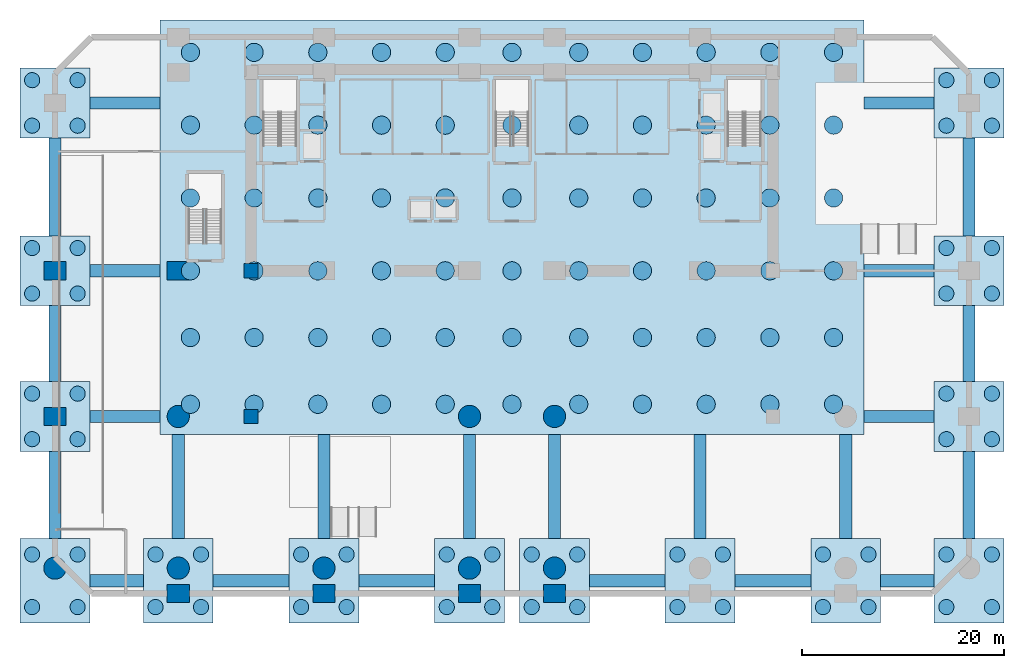
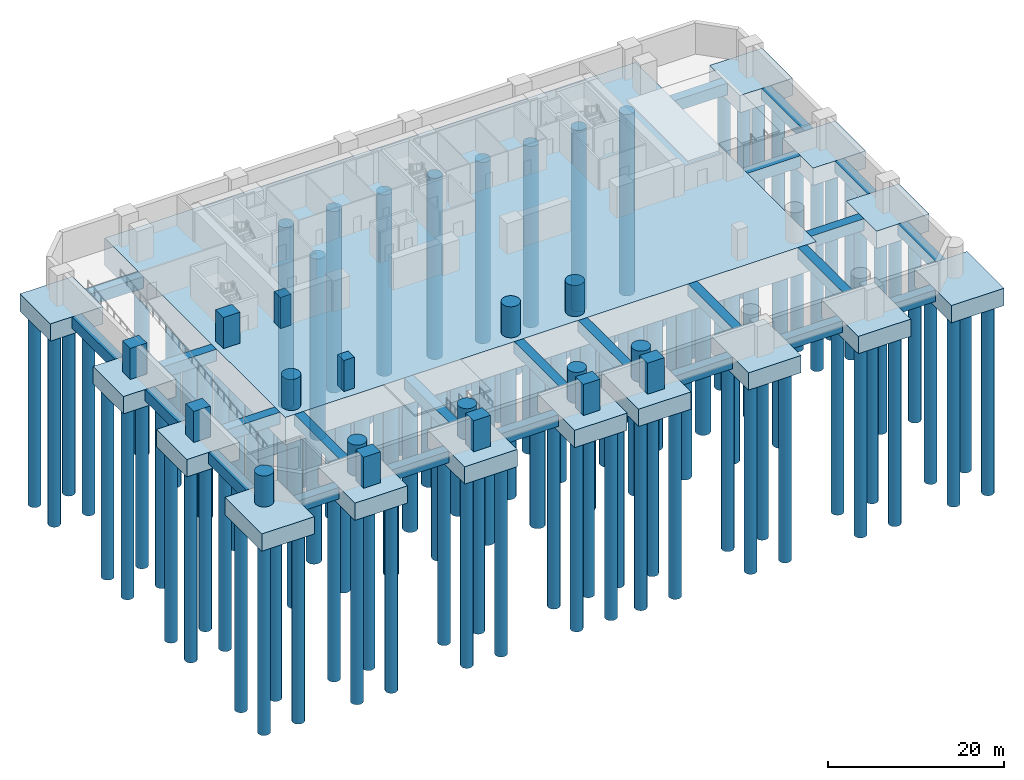
# One storey, part 1 of 10: 122 piles, 39 footings, 17 columns.
"""IFC4 building model written with IfcOpenShell, lengths in metres."""

from ifc_helpers import new_model, si_unit, direction, frame, origin, origin_2d, place, context, subcontext, project, spatial, polyline, rectangle, circle, outline, extrude, material, layer, layer_set, material_profile, profile_set, type_object, element, save


model = new_model("IFC4")

# Units and contexts
model_context = context("Model", 3, precision=1e-05, world=origin(), true_north=direction((0.0, 1.0)))
body_context = subcontext(model_context, "Body", "Model", "MODEL_VIEW")
ifc_project = project(units=[si_unit("LENGTHUNIT", "METRE"), si_unit("AREAUNIT", "SQUARE_METRE"), si_unit("VOLUMEUNIT", "CUBIC_METRE"), si_unit("PLANEANGLEUNIT", "RADIAN"), si_unit("MASSUNIT", "GRAM", prefix="KILO")], contexts=[model_context])

# Site, building, storey
site_placement = place(None, origin())
site = spatial("IfcSite", under=ifc_project, at=site_placement, CompositionType="ELEMENT")
building_placement = place(site_placement, origin())
building = spatial("IfcBuilding", under=site, at=building_placement, Name="Kaelvorn Grand Hotel", CompositionType="ELEMENT")
storey_placement = place(building_placement, frame((0.0, 0.0, -9.199951171875)))
storey = spatial("IfcBuildingStorey", under=building, at=storey_placement, Name="B02", CompositionType="ELEMENT", Elevation=-9.199951171875)

# Footings
ifc_material_1 = material(Name="Concrete C50/60", Category="concrete")
ifc_material_profile_1 = material_profile(ifc_material_1, rectangle(XDim=1.199951171875, YDim=1.60009765625, at=origin_2d()), Name="GB 1200x1600")
ifc_profile_set_1 = profile_set([ifc_material_profile_1], Name="Concrete C50/60")
footing_type_1 = type_object("IfcFootingType", Name="GBEAM-1200x1600-C50", PredefinedType="FOOTING_BEAM", material=ifc_profile_set_1)
footing_1_placement = place(storey_placement, frame((0.25, -1.25, -0.800048828125), z_axis=(1.0, 0.0, 0.0), x_axis=(0.0, 1.0, 0.0)))
element("IfcFooting", 1, at=footing_1_placement, inside=storey, type_object=footing_type_1, Name="Ground Tie Beam GB1-S01", PredefinedType="FOOTING_BEAM", context=body_context, shape_type="SweptSolid", body=[
    extrude(rectangle(XDim=1.199951171875, YDim=1.60009765625, at=origin_2d()), origin(), (0.0, 0.0, 1.0), 5.300048828125),
])
for number, where, z_axis, x_axis, name in (
    (2, (12.449951171875, -1.25, -0.800048828125), (1.0, 0.0, 0.0), (0.0, 1.0, 0.0), "Ground Tie Beam GB1-S02"),
    (3, (26.85009765625, -1.25, -0.800048828125), (1.0, 0.0, 0.0), (0.0, 1.0, 0.0), "Ground Tie Beam GB1-S03"),
    (4, (49.64990234375, -1.25, -0.800048828125), (1.0, 0.0, 0.0), (0.0, 1.0, 0.0), "Ground Tie Beam GB1-S05"),
    (5, (64.050048828125, -1.25, -0.800048828125), (1.0, 0.0, 0.0), (0.0, 1.0, 0.0), "Ground Tie Beam GB1-S06"),
):
    element("IfcFooting", number, at=place(storey_placement, frame(where, z_axis=z_axis, x_axis=x_axis)), inside=storey, type_object=footing_type_1, Name=name, PredefinedType="FOOTING_BEAM", context=body_context, shape_type="SweptSolid", body=[
        extrude(rectangle(XDim=1.199951171875, YDim=1.60009765625, at=origin_2d()), origin(), (0.0, 0.0, 1.0), 7.5),
    ])
footing_2_placement = place(storey_placement, frame((78.449951171875, -1.25, -0.800048828125), z_axis=(1.0, 0.0, 0.0), x_axis=(0.0, 1.0, 0.0)))
element("IfcFooting", 6, at=footing_2_placement, inside=storey, type_object=footing_type_1, Name="Ground Tie Beam GB1-S07", PredefinedType="FOOTING_BEAM", context=body_context, shape_type="SweptSolid", body=[
    extrude(rectangle(XDim=1.199951171875, YDim=1.60009765625, at=origin_2d()), origin(), (0.0, 0.0, 1.0), 5.300048828125),
])
for number, where, z_axis, x_axis, name in (
    (7, (9.0, 2.949951171875, -0.800048828125), (0.0, 1.0, 0.0), (-1.0, 0.0, 0.0), "Ground Tie Beam GB1-SN01"),
    (8, (23.39990234375, 2.949951171875, -0.800048828125), (0.0, 1.0, 0.0), (-1.0, 0.0, 0.0), "Ground Tie Beam GB1-SN02"),
    (9, (37.800048828125, 2.949951171875, -0.800048828125), (0.0, 1.0, 0.0), (-1.0, 0.0, 0.0), "Ground Tie Beam GB1-SN03"),
    (10, (46.199951171875, 2.949951171875, -0.800048828125), (0.0, 1.0, 0.0), (-1.0, 0.0, 0.0), "Ground Tie Beam GB1-SN04"),
    (11, (60.60009765625, 2.949951171875, -0.800048828125), (0.0, 1.0, 0.0), (-1.0, 0.0, 0.0), "Ground Tie Beam GB1-SN05"),
    (12, (75.0, 2.949951171875, -0.800048828125), (0.0, 1.0, 0.0), (-1.0, 0.0, 0.0), "Ground Tie Beam GB1-SN06"),
):
    element("IfcFooting", number, at=place(storey_placement, frame(where, z_axis=z_axis, x_axis=x_axis)), inside=storey, type_object=footing_type_1, Name=name, PredefinedType="FOOTING_BEAM", context=body_context, shape_type="SweptSolid", body=[
        extrude(rectangle(XDim=1.199951171875, YDim=1.60009765625, at=origin_2d()), origin(), (0.0, 0.0, 1.0), 10.25),
    ])
footing_3_placement = place(storey_placement, frame((-3.199951171875, 2.949951171875, -0.800048828125), z_axis=(0.0, 1.0, 0.0), x_axis=(-1.0, 0.0, 0.0)))
element("IfcFooting", 13, at=footing_3_placement, inside=storey, type_object=footing_type_1, Name="Ground Tie Beam GB1-W00", PredefinedType="FOOTING_BEAM", context=body_context, shape_type="SweptSolid", body=[
    extrude(rectangle(XDim=1.199951171875, YDim=1.60009765625, at=origin_2d()), origin(), (0.0, 0.0, 1.0), 8.60009765625),
])
footing_4_placement = place(storey_placement, frame((-3.199951171875, 18.449951171875, -0.800048828125), z_axis=(0.0, 1.0, 0.0), x_axis=(-1.0, 0.0, 0.0)))
element("IfcFooting", 14, at=footing_4_placement, inside=storey, type_object=footing_type_1, Name="Ground Tie Beam GB1-W01", PredefinedType="FOOTING_BEAM", context=body_context, shape_type="SweptSolid", body=[
    extrude(rectangle(XDim=1.199951171875, YDim=1.60009765625, at=origin_2d()), origin(), (0.0, 0.0, 1.0), 7.5),
])
footing_5_placement = place(storey_placement, frame((-3.199951171875, 32.85009765625, -0.800048828125), z_axis=(0.0, 1.0, 0.0), x_axis=(-1.0, 0.0, 0.0)))
element("IfcFooting", 15, at=footing_5_placement, inside=storey, type_object=footing_type_1, Name="Ground Tie Beam GB1-W02", PredefinedType="FOOTING_BEAM", context=body_context, shape_type="SweptSolid", body=[
    extrude(rectangle(XDim=1.199951171875, YDim=1.60009765625, at=origin_2d()), origin(), (0.0, 0.0, 1.0), 9.699951171875),
])
for number, where, z_axis, x_axis, name in (
    (16, (0.25, 15.0, -0.800048828125), (1.0, 0.0, 0.0), (0.0, 1.0, 0.0), "Ground Tie Beam GB1-WR01"),
    (17, (0.25, 29.39990234375, -0.800048828125), (1.0, 0.0, 0.0), (0.0, 1.0, 0.0), "Ground Tie Beam GB1-WR02"),
    (18, (0.25, 46.0, -0.800048828125), (1.0, 0.0, 0.0), (0.0, 1.0, 0.0), "Ground Tie Beam GB1-WR03"),
):
    element("IfcFooting", number, at=place(storey_placement, frame(where, z_axis=z_axis, x_axis=x_axis)), inside=storey, type_object=footing_type_1, Name=name, PredefinedType="FOOTING_BEAM", context=body_context, shape_type="SweptSolid", body=[
        extrude(rectangle(XDim=1.199951171875, YDim=1.60009765625, at=origin_2d()), origin(), (0.0, 0.0, 1.0), 6.949951171875),
    ])
footing_6_placement = place(storey_placement, frame((87.199951171875, 2.949951171875, -0.800048828125), z_axis=(0.0, 1.0, 0.0), x_axis=(-1.0, 0.0, 0.0)))
element("IfcFooting", 19, at=footing_6_placement, inside=storey, type_object=footing_type_1, Name="Ground Tie Beam GB1-E00", PredefinedType="FOOTING_BEAM", context=body_context, shape_type="SweptSolid", body=[
    extrude(rectangle(XDim=1.199951171875, YDim=1.60009765625, at=origin_2d()), origin(), (0.0, 0.0, 1.0), 8.60009765625),
])
footing_7_placement = place(storey_placement, frame((87.199951171875, 18.449951171875, -0.800048828125), z_axis=(0.0, 1.0, 0.0), x_axis=(-1.0, 0.0, 0.0)))
element("IfcFooting", 20, at=footing_7_placement, inside=storey, type_object=footing_type_1, Name="Ground Tie Beam GB1-E01", PredefinedType="FOOTING_BEAM", context=body_context, shape_type="SweptSolid", body=[
    extrude(rectangle(XDim=1.199951171875, YDim=1.60009765625, at=origin_2d()), origin(), (0.0, 0.0, 1.0), 7.5),
])
footing_8_placement = place(storey_placement, frame((87.199951171875, 32.85009765625, -0.800048828125), z_axis=(0.0, 1.0, 0.0), x_axis=(-1.0, 0.0, 0.0)))
element("IfcFooting", 21, at=footing_8_placement, inside=storey, type_object=footing_type_1, Name="Ground Tie Beam GB1-E02", PredefinedType="FOOTING_BEAM", context=body_context, shape_type="SweptSolid", body=[
    extrude(rectangle(XDim=1.199951171875, YDim=1.60009765625, at=origin_2d()), origin(), (0.0, 0.0, 1.0), 9.699951171875),
])
for number, where, z_axis, x_axis, name in (
    (22, (76.800048828125, 15.0, -0.800048828125), (1.0, 0.0, 0.0), (0.0, 1.0, 0.0), "Ground Tie Beam GB1-ER01"),
    (23, (76.800048828125, 29.39990234375, -0.800048828125), (1.0, 0.0, 0.0), (0.0, 1.0, 0.0), "Ground Tie Beam GB1-ER02"),
    (24, (76.800048828125, 46.0, -0.800048828125), (1.0, 0.0, 0.0), (0.0, 1.0, 0.0), "Ground Tie Beam GB1-ER03"),
):
    element("IfcFooting", number, at=place(storey_placement, frame(where, z_axis=z_axis, x_axis=x_axis)), inside=storey, type_object=footing_type_1, Name=name, PredefinedType="FOOTING_BEAM", context=body_context, shape_type="SweptSolid", body=[
        extrude(rectangle(XDim=1.199951171875, YDim=1.60009765625, at=origin_2d()), origin(), (0.0, 0.0, 1.0), 6.949951171875),
    ])
ifc_layer_1 = layer(ifc_material_1, 2.39990234375)
ifc_layer_set_1 = layer_set([ifc_layer_1], Name="Concrete C50/60")
footing_type_2 = type_object("IfcFootingType", Name="PCAP-EW-2400-C50", PredefinedType="PILE_CAP", material=ifc_layer_set_1)
for number, where, z_axis, x_axis, name in (
    (25, (-3.199951171875, 15.0, -2.39990234375), (0.0, 0.0, 1.0), (1.0, 0.0, 0.0), "W Perimeter Pile Cap PC2-W01"),
    (26, (-3.199951171875, 29.39990234375, -2.39990234375), (0.0, 0.0, 1.0), (1.0, 0.0, 0.0), "W Perimeter Pile Cap PC2-W02"),
    (27, (-3.199951171875, 46.0, -2.39990234375), (0.0, 0.0, 1.0), (1.0, 0.0, 0.0), "W Perimeter Pile Cap PC2-W03"),
    (28, (87.199951171875, 15.0, -2.39990234375), (0.0, 0.0, 1.0), (1.0, 0.0, 0.0), "E Perimeter Pile Cap PC2-E01"),
    (29, (87.199951171875, 29.39990234375, -2.39990234375), (0.0, 0.0, 1.0), (1.0, 0.0, 0.0), "E Perimeter Pile Cap PC2-E02"),
    (30, (87.199951171875, 46.0, -2.39990234375), (0.0, 0.0, 1.0), (1.0, 0.0, 0.0), "E Perimeter Pile Cap PC2-E03"),
):
    element("IfcFooting", number, at=place(storey_placement, frame(where, z_axis=z_axis, x_axis=x_axis)), inside=storey, type_object=footing_type_2, Name=name, PredefinedType="PILE_CAP", context=body_context, shape_type="SweptSolid", body=[
        extrude(rectangle(XDim=6.89990234375, YDim=6.89990234375, at=origin_2d()), origin(), (0.0, 0.0, 1.0), 2.39990234375),
    ])
ifc_layer_2 = layer(ifc_material_1, 2.39990234375)
ifc_layer_set_2 = layer_set([ifc_layer_2], Name="Concrete C50/60")
footing_type_3 = type_object("IfcFootingType", Name="PCAP-S-2400-C50", PredefinedType="PILE_CAP", material=ifc_layer_set_2)
for number, where, z_axis, x_axis, name in (
    (31, (-3.199951171875, -1.25, -2.39990234375), (0.0, 0.0, 1.0), (1.0, 0.0, 0.0), "South Perimeter Pile Cap PC1-01"),
    (32, (9.0, -1.25, -2.39990234375), (0.0, 0.0, 1.0), (1.0, 0.0, 0.0), "South Perimeter Pile Cap PC1-02"),
    (33, (23.39990234375, -1.25, -2.39990234375), (0.0, 0.0, 1.0), (1.0, 0.0, 0.0), "South Perimeter Pile Cap PC1-03"),
    (34, (37.800048828125, -1.25, -2.39990234375), (0.0, 0.0, 1.0), (1.0, 0.0, 0.0), "South Perimeter Pile Cap PC1-04"),
    (35, (46.199951171875, -1.25, -2.39990234375), (0.0, 0.0, 1.0), (1.0, 0.0, 0.0), "South Perimeter Pile Cap PC1-05"),
    (36, (60.60009765625, -1.25, -2.39990234375), (0.0, 0.0, 1.0), (1.0, 0.0, 0.0), "South Perimeter Pile Cap PC1-06"),
    (37, (75.0, -1.25, -2.39990234375), (0.0, 0.0, 1.0), (1.0, 0.0, 0.0), "South Perimeter Pile Cap PC1-07"),
    (38, (87.199951171875, -1.25, -2.39990234375), (0.0, 0.0, 1.0), (1.0, 0.0, 0.0), "South Perimeter Pile Cap PC1-08"),
):
    element("IfcFooting", number, at=place(storey_placement, frame(where, z_axis=z_axis, x_axis=x_axis)), inside=storey, type_object=footing_type_3, Name=name, PredefinedType="PILE_CAP", context=body_context, shape_type="SweptSolid", body=[
        extrude(rectangle(XDim=6.89990234375, YDim=8.39990234375, at=origin_2d()), origin(), (0.0, 0.0, 1.0), 2.39990234375),
    ])

# Piles
ifc_material_2 = material(Name="Concrete C45/55", Category="concrete")
ifc_material_profile_2 = material_profile(ifc_material_2, circle(Radius=0.75, at=origin_2d()), Name="BORED PILE D1500")
ifc_profile_set_2 = profile_set([ifc_material_profile_2], Name="Concrete C45/55")
pile_type_1 = type_object("IfcPileType", Name="PILE-D1500-C45", PredefinedType="BORED", material=ifc_profile_set_2)
for number, where, z_axis, x_axis, name in (
    (39, (-5.449951171875, -3.85009765625, -2.25), (0.0, 0.0, -1.0), (1.0, 0.0, 0.0), "Rock-Socketed Bored Pile P2-067"),
    (40, (-5.449951171875, 1.35009765625, -2.25), (0.0, 0.0, -1.0), (1.0, 0.0, 0.0), "Rock-Socketed Bored Pile P2-068"),
    (41, (-0.949951171875, -3.85009765625, -2.25), (0.0, 0.0, -1.0), (1.0, 0.0, 0.0), "Rock-Socketed Bored Pile P2-069"),
    (42, (-0.949951171875, 1.35009765625, -2.25), (0.0, 0.0, -1.0), (1.0, 0.0, 0.0), "Rock-Socketed Bored Pile P2-070"),
    (43, (6.75, -3.85009765625, -2.25), (0.0, 0.0, -1.0), (1.0, 0.0, 0.0), "Rock-Socketed Bored Pile P2-071"),
    (44, (6.75, 1.35009765625, -2.25), (0.0, 0.0, -1.0), (1.0, 0.0, 0.0), "Rock-Socketed Bored Pile P2-072"),
    (45, (11.25, -3.85009765625, -2.25), (0.0, 0.0, -1.0), (1.0, 0.0, 0.0), "Rock-Socketed Bored Pile P2-073"),
    (46, (11.25, 1.35009765625, -2.25), (0.0, 0.0, -1.0), (1.0, 0.0, 0.0), "Rock-Socketed Bored Pile P2-074"),
    (47, (21.14990234375, -3.85009765625, -2.25), (0.0, 0.0, -1.0), (1.0, 0.0, 0.0), "Rock-Socketed Bored Pile P2-075"),
    (48, (21.14990234375, 1.35009765625, -2.25), (0.0, 0.0, -1.0), (1.0, 0.0, 0.0), "Rock-Socketed Bored Pile P2-076"),
    (49, (25.64990234375, -3.85009765625, -2.25), (0.0, 0.0, -1.0), (1.0, 0.0, 0.0), "Rock-Socketed Bored Pile P2-077"),
    (50, (25.64990234375, 1.35009765625, -2.25), (0.0, 0.0, -1.0), (1.0, 0.0, 0.0), "Rock-Socketed Bored Pile P2-078"),
    (51, (35.550048828125, -3.85009765625, -2.25), (0.0, 0.0, -1.0), (1.0, 0.0, 0.0), "Rock-Socketed Bored Pile P2-079"),
    (52, (35.550048828125, 1.35009765625, -2.25), (0.0, 0.0, -1.0), (1.0, 0.0, 0.0), "Rock-Socketed Bored Pile P2-080"),
    (53, (40.050048828125, -3.85009765625, -2.25), (0.0, 0.0, -1.0), (1.0, 0.0, 0.0), "Rock-Socketed Bored Pile P2-081"),
    (54, (40.050048828125, 1.35009765625, -2.25), (0.0, 0.0, -1.0), (1.0, 0.0, 0.0), "Rock-Socketed Bored Pile P2-082"),
    (55, (43.949951171875, -3.85009765625, -2.25), (0.0, 0.0, -1.0), (1.0, 0.0, 0.0), "Rock-Socketed Bored Pile P2-083"),
    (56, (43.949951171875, 1.35009765625, -2.25), (0.0, 0.0, -1.0), (1.0, 0.0, 0.0), "Rock-Socketed Bored Pile P2-084"),
    (57, (48.449951171875, -3.85009765625, -2.25), (0.0, 0.0, -1.0), (1.0, 0.0, 0.0), "Rock-Socketed Bored Pile P2-085"),
    (58, (48.449951171875, 1.35009765625, -2.25), (0.0, 0.0, -1.0), (1.0, 0.0, 0.0), "Rock-Socketed Bored Pile P2-086"),
    (59, (58.35009765625, -3.85009765625, -2.25), (0.0, 0.0, -1.0), (1.0, 0.0, 0.0), "Rock-Socketed Bored Pile P2-087"),
    (60, (58.35009765625, 1.35009765625, -2.25), (0.0, 0.0, -1.0), (1.0, 0.0, 0.0), "Rock-Socketed Bored Pile P2-088"),
    (61, (62.85009765625, -3.85009765625, -2.25), (0.0, 0.0, -1.0), (1.0, 0.0, 0.0), "Rock-Socketed Bored Pile P2-089"),
    (62, (62.85009765625, 1.35009765625, -2.25), (0.0, 0.0, -1.0), (1.0, 0.0, 0.0), "Rock-Socketed Bored Pile P2-090"),
    (63, (72.75, -3.85009765625, -2.25), (0.0, 0.0, -1.0), (1.0, 0.0, 0.0), "Rock-Socketed Bored Pile P2-091"),
    (64, (72.75, 1.35009765625, -2.25), (0.0, 0.0, -1.0), (1.0, 0.0, 0.0), "Rock-Socketed Bored Pile P2-092"),
    (65, (77.25, -3.85009765625, -2.25), (0.0, 0.0, -1.0), (1.0, 0.0, 0.0), "Rock-Socketed Bored Pile P2-093"),
    (66, (77.25, 1.35009765625, -2.25), (0.0, 0.0, -1.0), (1.0, 0.0, 0.0), "Rock-Socketed Bored Pile P2-094"),
    (67, (84.949951171875, -3.85009765625, -2.25), (0.0, 0.0, -1.0), (1.0, 0.0, 0.0), "Rock-Socketed Bored Pile P2-095"),
    (68, (84.949951171875, 1.35009765625, -2.25), (0.0, 0.0, -1.0), (1.0, 0.0, 0.0), "Rock-Socketed Bored Pile P2-096"),
    (69, (89.449951171875, -3.85009765625, -2.25), (0.0, 0.0, -1.0), (1.0, 0.0, 0.0), "Rock-Socketed Bored Pile P2-097"),
    (70, (89.449951171875, 1.35009765625, -2.25), (0.0, 0.0, -1.0), (1.0, 0.0, 0.0), "Rock-Socketed Bored Pile P2-098"),
    (71, (-5.449951171875, 12.75, -2.25), (0.0, 0.0, -1.0), (1.0, 0.0, 0.0), "Rock-Socketed Bored Pile P2-099"),
    (72, (-5.449951171875, 17.25, -2.25), (0.0, 0.0, -1.0), (1.0, 0.0, 0.0), "Rock-Socketed Bored Pile P2-100"),
    (73, (-0.949951171875, 12.75, -2.25), (0.0, 0.0, -1.0), (1.0, 0.0, 0.0), "Rock-Socketed Bored Pile P2-101"),
    (74, (-0.949951171875, 17.25, -2.25), (0.0, 0.0, -1.0), (1.0, 0.0, 0.0), "Rock-Socketed Bored Pile P2-102"),
    (75, (-5.449951171875, 27.14990234375, -2.25), (0.0, 0.0, -1.0), (1.0, 0.0, 0.0), "Rock-Socketed Bored Pile P2-103"),
    (76, (-5.449951171875, 31.64990234375, -2.25), (0.0, 0.0, -1.0), (1.0, 0.0, 0.0), "Rock-Socketed Bored Pile P2-104"),
    (77, (-0.949951171875, 27.14990234375, -2.25), (0.0, 0.0, -1.0), (1.0, 0.0, 0.0), "Rock-Socketed Bored Pile P2-105"),
    (78, (-0.949951171875, 31.64990234375, -2.25), (0.0, 0.0, -1.0), (1.0, 0.0, 0.0), "Rock-Socketed Bored Pile P2-106"),
    (79, (-5.449951171875, 43.75, -2.25), (0.0, 0.0, -1.0), (1.0, 0.0, 0.0), "Rock-Socketed Bored Pile P2-107"),
    (80, (-5.449951171875, 48.25, -2.25), (0.0, 0.0, -1.0), (1.0, 0.0, 0.0), "Rock-Socketed Bored Pile P2-108"),
    (81, (-0.949951171875, 43.75, -2.25), (0.0, 0.0, -1.0), (1.0, 0.0, 0.0), "Rock-Socketed Bored Pile P2-109"),
    (82, (-0.949951171875, 48.25, -2.25), (0.0, 0.0, -1.0), (1.0, 0.0, 0.0), "Rock-Socketed Bored Pile P2-110"),
    (83, (84.949951171875, 12.75, -2.25), (0.0, 0.0, -1.0), (1.0, 0.0, 0.0), "Rock-Socketed Bored Pile P2-111"),
    (84, (84.949951171875, 17.25, -2.25), (0.0, 0.0, -1.0), (1.0, 0.0, 0.0), "Rock-Socketed Bored Pile P2-112"),
    (85, (89.449951171875, 12.75, -2.25), (0.0, 0.0, -1.0), (1.0, 0.0, 0.0), "Rock-Socketed Bored Pile P2-113"),
    (86, (89.449951171875, 17.25, -2.25), (0.0, 0.0, -1.0), (1.0, 0.0, 0.0), "Rock-Socketed Bored Pile P2-114"),
    (87, (84.949951171875, 27.14990234375, -2.25), (0.0, 0.0, -1.0), (1.0, 0.0, 0.0), "Rock-Socketed Bored Pile P2-115"),
    (88, (84.949951171875, 31.64990234375, -2.25), (0.0, 0.0, -1.0), (1.0, 0.0, 0.0), "Rock-Socketed Bored Pile P2-116"),
    (89, (89.449951171875, 27.14990234375, -2.25), (0.0, 0.0, -1.0), (1.0, 0.0, 0.0), "Rock-Socketed Bored Pile P2-117"),
    (90, (89.449951171875, 31.64990234375, -2.25), (0.0, 0.0, -1.0), (1.0, 0.0, 0.0), "Rock-Socketed Bored Pile P2-118"),
    (91, (84.949951171875, 43.75, -2.25), (0.0, 0.0, -1.0), (1.0, 0.0, 0.0), "Rock-Socketed Bored Pile P2-119"),
    (92, (84.949951171875, 48.25, -2.25), (0.0, 0.0, -1.0), (1.0, 0.0, 0.0), "Rock-Socketed Bored Pile P2-120"),
    (93, (89.449951171875, 43.75, -2.25), (0.0, 0.0, -1.0), (1.0, 0.0, 0.0), "Rock-Socketed Bored Pile P2-121"),
    (94, (89.449951171875, 48.25, -2.25), (0.0, 0.0, -1.0), (1.0, 0.0, 0.0), "Rock-Socketed Bored Pile P2-122"),
):
    element("IfcPile", number, at=place(storey_placement, frame(where, z_axis=z_axis, x_axis=x_axis)), inside=storey, type_object=pile_type_1, Name=name, PredefinedType="BORED", context=body_context, shape_type="SweptSolid", body=[
        extrude(circle(Radius=0.75, at=origin_2d()), origin(), (0.0, 0.0, 1.0), 26.550048828125),
    ])
ifc_material_profile_3 = material_profile(ifc_material_2, circle(Radius=0.89990234375, at=origin_2d()), Name="BORED PILE D1800")
ifc_profile_set_3 = profile_set([ifc_material_profile_3], Name="Concrete C45/55")
pile_type_2 = type_object("IfcPileType", Name="PILE-D1800-C45", PredefinedType="BORED", material=ifc_profile_set_3)
for number, where, z_axis, x_axis, name in (
    (95, (10.199951171875, 16.199951171875, -3.650146484375), (0.0, 0.0, -1.0), (1.0, 0.0, 0.0), "Rock-Socketed Bored Pile P1-001"),
    (96, (10.199951171875, 22.800048828125, -3.650146484375), (0.0, 0.0, -1.0), (1.0, 0.0, 0.0), "Rock-Socketed Bored Pile P1-002"),
    (97, (10.199951171875, 29.39990234375, -3.650146484375), (0.0, 0.0, -1.0), (1.0, 0.0, 0.0), "Rock-Socketed Bored Pile P1-003"),
    (98, (10.199951171875, 36.60009765625, -3.650146484375), (0.0, 0.0, -1.0), (1.0, 0.0, 0.0), "Rock-Socketed Bored Pile P1-004"),
    (99, (10.199951171875, 43.800048828125, -3.650146484375), (0.0, 0.0, -1.0), (1.0, 0.0, 0.0), "Rock-Socketed Bored Pile P1-005"),
    (100, (10.199951171875, 51.0, -3.650146484375), (0.0, 0.0, -1.0), (1.0, 0.0, 0.0), "Rock-Socketed Bored Pile P1-006"),
    (101, (16.5, 16.199951171875, -3.650146484375), (0.0, 0.0, -1.0), (1.0, 0.0, 0.0), "Rock-Socketed Bored Pile P1-007"),
    (102, (16.5, 22.800048828125, -3.650146484375), (0.0, 0.0, -1.0), (1.0, 0.0, 0.0), "Rock-Socketed Bored Pile P1-008"),
    (103, (16.5, 29.39990234375, -3.650146484375), (0.0, 0.0, -1.0), (1.0, 0.0, 0.0), "Rock-Socketed Bored Pile P1-009"),
    (104, (16.5, 36.60009765625, -3.650146484375), (0.0, 0.0, -1.0), (1.0, 0.0, 0.0), "Rock-Socketed Bored Pile P1-010"),
    (105, (16.5, 43.800048828125, -3.650146484375), (0.0, 0.0, -1.0), (1.0, 0.0, 0.0), "Rock-Socketed Bored Pile P1-011"),
    (106, (16.5, 51.0, -3.650146484375), (0.0, 0.0, -1.0), (1.0, 0.0, 0.0), "Rock-Socketed Bored Pile P1-012"),
    (107, (22.800048828125, 16.199951171875, -3.650146484375), (0.0, 0.0, -1.0), (1.0, 0.0, 0.0), "Rock-Socketed Bored Pile P1-013"),
    (108, (22.800048828125, 22.800048828125, -3.650146484375), (0.0, 0.0, -1.0), (1.0, 0.0, 0.0), "Rock-Socketed Bored Pile P1-014"),
    (109, (22.800048828125, 29.39990234375, -3.650146484375), (0.0, 0.0, -1.0), (1.0, 0.0, 0.0), "Rock-Socketed Bored Pile P1-015"),
    (110, (22.800048828125, 36.60009765625, -3.650146484375), (0.0, 0.0, -1.0), (1.0, 0.0, 0.0), "Rock-Socketed Bored Pile P1-016"),
    (111, (22.800048828125, 43.800048828125, -3.650146484375), (0.0, 0.0, -1.0), (1.0, 0.0, 0.0), "Rock-Socketed Bored Pile P1-017"),
    (112, (22.800048828125, 51.0, -3.650146484375), (0.0, 0.0, -1.0), (1.0, 0.0, 0.0), "Rock-Socketed Bored Pile P1-018"),
    (113, (29.10009765625, 16.199951171875, -3.650146484375), (0.0, 0.0, -1.0), (1.0, 0.0, 0.0), "Rock-Socketed Bored Pile P1-019"),
    (114, (29.10009765625, 22.800048828125, -3.650146484375), (0.0, 0.0, -1.0), (1.0, 0.0, 0.0), "Rock-Socketed Bored Pile P1-020"),
    (115, (29.10009765625, 29.39990234375, -3.650146484375), (0.0, 0.0, -1.0), (1.0, 0.0, 0.0), "Rock-Socketed Bored Pile P1-021"),
    (116, (29.10009765625, 36.60009765625, -3.650146484375), (0.0, 0.0, -1.0), (1.0, 0.0, 0.0), "Rock-Socketed Bored Pile P1-022"),
    (117, (29.10009765625, 43.800048828125, -3.650146484375), (0.0, 0.0, -1.0), (1.0, 0.0, 0.0), "Rock-Socketed Bored Pile P1-023"),
    (118, (29.10009765625, 51.0, -3.650146484375), (0.0, 0.0, -1.0), (1.0, 0.0, 0.0), "Rock-Socketed Bored Pile P1-024"),
    (119, (35.39990234375, 16.199951171875, -3.650146484375), (0.0, 0.0, -1.0), (1.0, 0.0, 0.0), "Rock-Socketed Bored Pile P1-025"),
    (120, (35.39990234375, 22.800048828125, -3.650146484375), (0.0, 0.0, -1.0), (1.0, 0.0, 0.0), "Rock-Socketed Bored Pile P1-026"),
    (121, (35.39990234375, 29.39990234375, -3.650146484375), (0.0, 0.0, -1.0), (1.0, 0.0, 0.0), "Rock-Socketed Bored Pile P1-027"),
    (122, (35.39990234375, 36.60009765625, -3.650146484375), (0.0, 0.0, -1.0), (1.0, 0.0, 0.0), "Rock-Socketed Bored Pile P1-028"),
    (123, (35.39990234375, 43.800048828125, -3.650146484375), (0.0, 0.0, -1.0), (1.0, 0.0, 0.0), "Rock-Socketed Bored Pile P1-029"),
    (124, (35.39990234375, 51.0, -3.650146484375), (0.0, 0.0, -1.0), (1.0, 0.0, 0.0), "Rock-Socketed Bored Pile P1-030"),
    (125, (42.0, 16.199951171875, -3.650146484375), (0.0, 0.0, -1.0), (1.0, 0.0, 0.0), "Rock-Socketed Bored Pile P1-031"),
    (126, (42.0, 22.800048828125, -3.650146484375), (0.0, 0.0, -1.0), (1.0, 0.0, 0.0), "Rock-Socketed Bored Pile P1-032"),
    (127, (42.0, 29.39990234375, -3.650146484375), (0.0, 0.0, -1.0), (1.0, 0.0, 0.0), "Rock-Socketed Bored Pile P1-033"),
    (128, (42.0, 36.60009765625, -3.650146484375), (0.0, 0.0, -1.0), (1.0, 0.0, 0.0), "Rock-Socketed Bored Pile P1-034"),
    (129, (42.0, 43.800048828125, -3.650146484375), (0.0, 0.0, -1.0), (1.0, 0.0, 0.0), "Rock-Socketed Bored Pile P1-035"),
    (130, (42.0, 51.0, -3.650146484375), (0.0, 0.0, -1.0), (1.0, 0.0, 0.0), "Rock-Socketed Bored Pile P1-036"),
    (131, (48.60009765625, 16.199951171875, -3.650146484375), (0.0, 0.0, -1.0), (1.0, 0.0, 0.0), "Rock-Socketed Bored Pile P1-037"),
    (132, (48.60009765625, 22.800048828125, -3.650146484375), (0.0, 0.0, -1.0), (1.0, 0.0, 0.0), "Rock-Socketed Bored Pile P1-038"),
    (133, (48.60009765625, 29.39990234375, -3.650146484375), (0.0, 0.0, -1.0), (1.0, 0.0, 0.0), "Rock-Socketed Bored Pile P1-039"),
    (134, (48.60009765625, 36.60009765625, -3.650146484375), (0.0, 0.0, -1.0), (1.0, 0.0, 0.0), "Rock-Socketed Bored Pile P1-040"),
    (135, (48.60009765625, 43.800048828125, -3.650146484375), (0.0, 0.0, -1.0), (1.0, 0.0, 0.0), "Rock-Socketed Bored Pile P1-041"),
    (136, (48.60009765625, 51.0, -3.650146484375), (0.0, 0.0, -1.0), (1.0, 0.0, 0.0), "Rock-Socketed Bored Pile P1-042"),
    (137, (54.89990234375, 16.199951171875, -3.650146484375), (0.0, 0.0, -1.0), (1.0, 0.0, 0.0), "Rock-Socketed Bored Pile P1-043"),
    (138, (54.89990234375, 22.800048828125, -3.650146484375), (0.0, 0.0, -1.0), (1.0, 0.0, 0.0), "Rock-Socketed Bored Pile P1-044"),
    (139, (54.89990234375, 29.39990234375, -3.650146484375), (0.0, 0.0, -1.0), (1.0, 0.0, 0.0), "Rock-Socketed Bored Pile P1-045"),
    (140, (54.89990234375, 36.60009765625, -3.650146484375), (0.0, 0.0, -1.0), (1.0, 0.0, 0.0), "Rock-Socketed Bored Pile P1-046"),
    (141, (54.89990234375, 43.800048828125, -3.650146484375), (0.0, 0.0, -1.0), (1.0, 0.0, 0.0), "Rock-Socketed Bored Pile P1-047"),
    (142, (54.89990234375, 51.0, -3.650146484375), (0.0, 0.0, -1.0), (1.0, 0.0, 0.0), "Rock-Socketed Bored Pile P1-048"),
    (143, (61.199951171875, 16.199951171875, -3.650146484375), (0.0, 0.0, -1.0), (1.0, 0.0, 0.0), "Rock-Socketed Bored Pile P1-049"),
    (144, (61.199951171875, 22.800048828125, -3.650146484375), (0.0, 0.0, -1.0), (1.0, 0.0, 0.0), "Rock-Socketed Bored Pile P1-050"),
    (145, (61.199951171875, 29.39990234375, -3.650146484375), (0.0, 0.0, -1.0), (1.0, 0.0, 0.0), "Rock-Socketed Bored Pile P1-051"),
    (146, (61.199951171875, 36.60009765625, -3.650146484375), (0.0, 0.0, -1.0), (1.0, 0.0, 0.0), "Rock-Socketed Bored Pile P1-052"),
    (147, (61.199951171875, 43.800048828125, -3.650146484375), (0.0, 0.0, -1.0), (1.0, 0.0, 0.0), "Rock-Socketed Bored Pile P1-053"),
    (148, (61.199951171875, 51.0, -3.650146484375), (0.0, 0.0, -1.0), (1.0, 0.0, 0.0), "Rock-Socketed Bored Pile P1-054"),
    (149, (67.5, 16.199951171875, -3.650146484375), (0.0, 0.0, -1.0), (1.0, 0.0, 0.0), "Rock-Socketed Bored Pile P1-055"),
    (150, (67.5, 22.800048828125, -3.650146484375), (0.0, 0.0, -1.0), (1.0, 0.0, 0.0), "Rock-Socketed Bored Pile P1-056"),
    (151, (67.5, 29.39990234375, -3.650146484375), (0.0, 0.0, -1.0), (1.0, 0.0, 0.0), "Rock-Socketed Bored Pile P1-057"),
    (152, (67.5, 36.60009765625, -3.650146484375), (0.0, 0.0, -1.0), (1.0, 0.0, 0.0), "Rock-Socketed Bored Pile P1-058"),
    (153, (67.5, 43.800048828125, -3.650146484375), (0.0, 0.0, -1.0), (1.0, 0.0, 0.0), "Rock-Socketed Bored Pile P1-059"),
    (154, (67.5, 51.0, -3.650146484375), (0.0, 0.0, -1.0), (1.0, 0.0, 0.0), "Rock-Socketed Bored Pile P1-060"),
    (155, (73.800048828125, 16.199951171875, -3.650146484375), (0.0, 0.0, -1.0), (1.0, 0.0, 0.0), "Rock-Socketed Bored Pile P1-061"),
    (156, (73.800048828125, 22.800048828125, -3.650146484375), (0.0, 0.0, -1.0), (1.0, 0.0, 0.0), "Rock-Socketed Bored Pile P1-062"),
    (157, (73.800048828125, 29.39990234375, -3.650146484375), (0.0, 0.0, -1.0), (1.0, 0.0, 0.0), "Rock-Socketed Bored Pile P1-063"),
    (158, (73.800048828125, 36.60009765625, -3.650146484375), (0.0, 0.0, -1.0), (1.0, 0.0, 0.0), "Rock-Socketed Bored Pile P1-064"),
    (159, (73.800048828125, 43.800048828125, -3.650146484375), (0.0, 0.0, -1.0), (1.0, 0.0, 0.0), "Rock-Socketed Bored Pile P1-065"),
    (160, (73.800048828125, 51.0, -3.650146484375), (0.0, 0.0, -1.0), (1.0, 0.0, 0.0), "Rock-Socketed Bored Pile P1-066"),
):
    element("IfcPile", number, at=place(storey_placement, frame(where, z_axis=z_axis, x_axis=x_axis)), inside=storey, type_object=pile_type_2, Name=name, PredefinedType="BORED", context=body_context, shape_type="SweptSolid", body=[
        extrude(circle(Radius=0.89990234375, at=origin_2d()), origin(), (0.0, 0.0, 1.0), 25.14990234375),
    ])

# Footing
ifc_layer_3 = layer(ifc_material_1, 3.800048828125)
ifc_layer_set_3 = layer_set([ifc_layer_3], Name="Concrete C50/60")
footing_type_4 = type_object("IfcFootingType", Name="RAFT-3800-C50", PredefinedType="CAISSON_FOUNDATION", material=ifc_layer_set_3)
footing_9_placement = place(storey_placement, frame((0.0, 0.0, -3.800048828125)))
element("IfcFooting", 161, at=footing_9_placement, inside=storey, type_object=footing_type_4, Name="Central Tower Piled Raft Foundation RF1", PredefinedType="CAISSON_FOUNDATION", context=body_context, shape_type="SweptSolid", body=[
    extrude(outline(polyline([(7.199951171875, 13.199951171875), (76.800048828125, 13.199951171875), (76.800048828125, 54.199951171875), (7.199951171875, 54.199951171875), (7.199951171875, 13.199951171875)])), origin(), (0.0, 0.0, 1.0), 3.800048828125),
])

# Columns
ifc_material_3 = material(Name="Concrete C80/95", Category="concrete")
ifc_material_profile_4 = material_profile(ifc_material_3, rectangle(XDim=2.199951171875, YDim=1.800048828125, at=origin_2d()), Name="PILOTIS 2200x1800")
ifc_profile_set_4 = profile_set([ifc_material_profile_4], Name="Concrete C80/95")
column_type_1 = type_object("IfcColumnType", Name="COL-PILOTIS-2200x1800", PredefinedType="USERDEFINED", material=ifc_profile_set_4)
for number, where, z_axis, x_axis, name in (
    (162, (9.0, -2.5, 0.0), (0.0, 0.0, 1.0), (1.0, 0.0, 0.0), "B02 Pilotis Mega Column PSP-02"),
    (163, (23.39990234375, -2.5, 0.0), (0.0, 0.0, 1.0), (1.0, 0.0, 0.0), "B02 Pilotis Mega Column PSP-03"),
    (164, (37.800048828125, -2.5, 0.0), (0.0, 0.0, 1.0), (1.0, 0.0, 0.0), "B02 Pilotis Mega Column PSP-04"),
    (165, (46.199951171875, -2.5, 0.0), (0.0, 0.0, 1.0), (1.0, 0.0, 0.0), "B02 Pilotis Mega Column PSP-05"),
    (166, (-3.199951171875, 15.0, 0.0), (0.0, 0.0, 1.0), (1.0, 0.0, 0.0), "B02 Pilotis Mega Column PW-01"),
    (167, (-3.199951171875, 29.39990234375, 0.0), (0.0, 0.0, 1.0), (1.0, 0.0, 0.0), "B02 Pilotis Mega Column PW-02"),
    (168, (9.0, 29.39990234375, 0.0), (0.0, 0.0, 1.0), (1.0, 0.0, 0.0), "B02 Pilotis Mega Column PC-01"),
):
    element("IfcColumn", number, at=place(storey_placement, frame(where, z_axis=z_axis, x_axis=x_axis)), inside=storey, type_object=column_type_1, Name=name, ObjectType="PILOTIS", PredefinedType="USERDEFINED", context=body_context, shape_type="SweptSolid", body=[
        extrude(rectangle(XDim=2.199951171875, YDim=1.800048828125, at=origin_2d()), origin(), (0.0, 0.0, 1.0), 4.300048828125),
    ])
ifc_material_profile_5 = material_profile(ifc_material_3, circle(Radius=1.10009765625, at=origin_2d()), Name="PILOTIS D2200")
ifc_profile_set_5 = profile_set([ifc_material_profile_5], Name="Concrete C80/95")
column_type_2 = type_object("IfcColumnType", Name="COL-PILOTIS-D2200", PredefinedType="USERDEFINED", material=ifc_profile_set_5)
for number, where, z_axis, x_axis, name in (
    (169, (-3.199951171875, 0.0, 0.0), (0.0, 0.0, 1.0), (1.0, 0.0, 0.0), "B02 Pilotis Mega Column PS-01"),
    (170, (9.0, 0.0, 0.0), (0.0, 0.0, 1.0), (1.0, 0.0, 0.0), "B02 Pilotis Mega Column PS-02"),
    (171, (23.39990234375, 0.0, 0.0), (0.0, 0.0, 1.0), (1.0, 0.0, 0.0), "B02 Pilotis Mega Column PS-03"),
    (172, (37.800048828125, 0.0, 0.0), (0.0, 0.0, 1.0), (1.0, 0.0, 0.0), "B02 Pilotis Mega Column PS-04"),
    (173, (46.199951171875, 0.0, 0.0), (0.0, 0.0, 1.0), (1.0, 0.0, 0.0), "B02 Pilotis Mega Column PS-05"),
    (174, (9.0, 15.0, 0.0), (0.0, 0.0, 1.0), (1.0, 0.0, 0.0), "B02 Pilotis Mega Column PM-01"),
    (175, (37.800048828125, 15.0, 0.0), (0.0, 0.0, 1.0), (1.0, 0.0, 0.0), "B02 Pilotis Mega Column PM-02"),
    (176, (46.199951171875, 15.0, 0.0), (0.0, 0.0, 1.0), (1.0, 0.0, 0.0), "B02 Pilotis Mega Column PM-03"),
):
    element("IfcColumn", number, at=place(storey_placement, frame(where, z_axis=z_axis, x_axis=x_axis)), inside=storey, type_object=column_type_2, Name=name, ObjectType="PILOTIS", PredefinedType="USERDEFINED", context=body_context, shape_type="SweptSolid", body=[
        extrude(circle(Radius=1.10009765625, at=origin_2d()), origin(), (0.0, 0.0, 1.0), 4.300048828125),
    ])
ifc_material_profile_6 = material_profile(ifc_material_3, rectangle(XDim=1.39990234375, YDim=1.39990234375, at=origin_2d()), Name="RC COL 1400x1400")
ifc_profile_set_6 = profile_set([ifc_material_profile_6], Name="Concrete C80/95")
column_type_3 = type_object("IfcColumnType", Name="COL-RC-1400-C80", PredefinedType="COLUMN", material=ifc_profile_set_6)
for number, where, z_axis, x_axis, name in (
    (177, (16.199951171875, 15.0, 0.0), (0.0, 0.0, 1.0), (1.0, 0.0, 0.0), "B02 Structural Column PMR-01"),
    (178, (16.199951171875, 29.39990234375, 0.0), (0.0, 0.0, 1.0), (1.0, 0.0, 0.0), "B02 Structural Column PCR-01"),
):
    element("IfcColumn", number, at=place(storey_placement, frame(where, z_axis=z_axis, x_axis=x_axis)), inside=storey, type_object=column_type_3, Name=name, PredefinedType="COLUMN", context=body_context, shape_type="SweptSolid", body=[
        extrude(rectangle(XDim=1.39990234375, YDim=1.39990234375, at=origin_2d()), origin(), (0.0, 0.0, 1.0), 4.300048828125),
    ])

save(model, "model.ifc")
